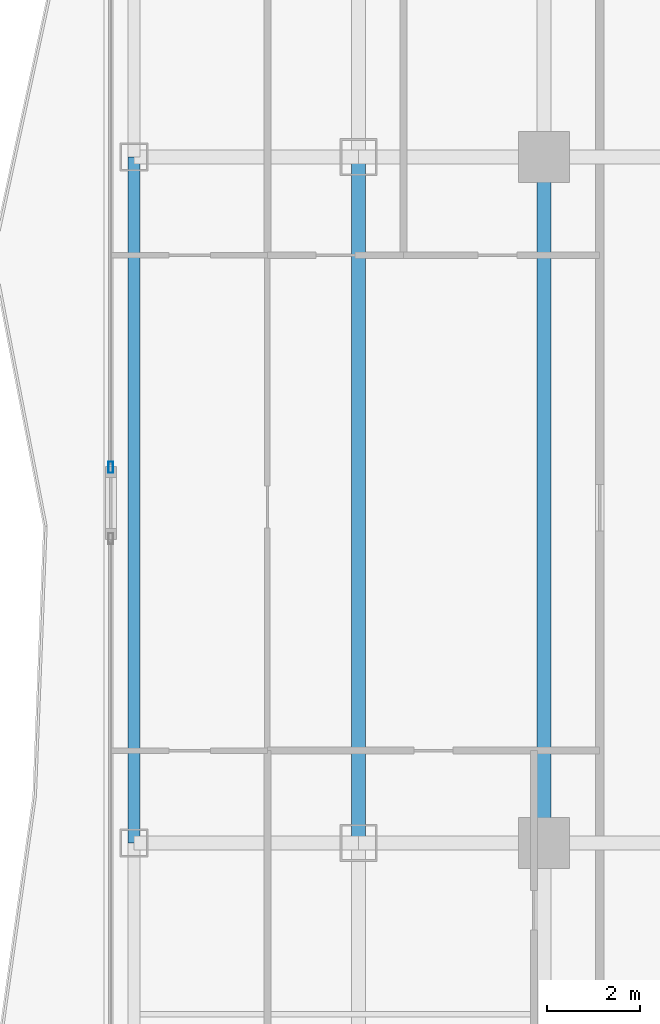
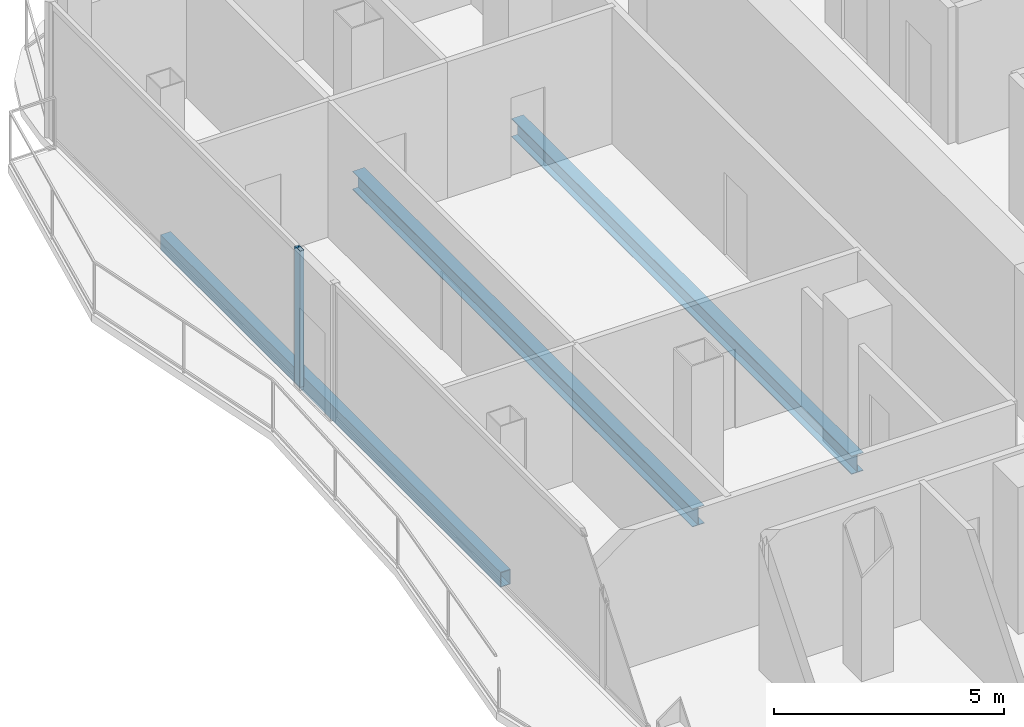
# One storey, part 6 of 23: 3 beams, 1 member, 1 element without a shape of its own.
"""IFC4 building model written with IfcOpenShell, lengths in metres."""

from ifc_helpers import new_model, si_unit, direction, frame, origin, origin_2d, place, context, subcontext, project, spatial, hollow_rectangle, i_section, extrude, material, layer, layer_set, material_profile, profile_set, type_object, element, aggregate, save


model = new_model("IFC4")

# Units and contexts
model_context = context("Model", 3, precision=1e-05, world=origin(), true_north=direction((0.0, 1.0)))
body_context = subcontext(model_context, "Body", "Model", "MODEL_VIEW")
ifc_project = project(units=[si_unit("LENGTHUNIT", "METRE"), si_unit("AREAUNIT", "SQUARE_METRE"), si_unit("VOLUMEUNIT", "CUBIC_METRE"), si_unit("PLANEANGLEUNIT", "RADIAN"), si_unit("MASSUNIT", "GRAM", prefix="KILO")], contexts=[model_context])

# Site, building, storey
site_placement = place(None, origin())
site = spatial("IfcSite", under=ifc_project, at=site_placement, CompositionType="ELEMENT")
building_placement = place(site_placement, origin())
building = spatial("IfcBuilding", under=site, at=building_placement, Name="Khorvyn Point Tower", CompositionType="ELEMENT")
storey_placement = place(building_placement, frame((0.0, 0.0, 207.0)))
storey = spatial("IfcBuildingStorey", under=building, at=storey_placement, Name="L51", CompositionType="ELEMENT", Elevation=207.0)

# Curtain wall, member
ifc_material_1 = material(Name="Anodised aluminium 6063-T6 and laminated Low-E glass", Category="aluminium")
ifc_layer = layer(ifc_material_1, 0.18994140625)
ifc_layer_set = layer_set([ifc_layer], Name="Stick-Built Acoustic Curtain Wall CW-SYS-03")
curtain_wall_type = type_object("IfcCurtainWallType", Name="Stick-Built Acoustic Curtain Wall CW-SYS-03", PredefinedType="NOTDEFINED", material=ifc_layer_set)
curtain_wall_placement = place(storey_placement, origin())
curtain_wall = element("IfcCurtainWall", 1, at=curtain_wall_placement, inside=storey, type_object=curtain_wall_type, Name="Curtain Wall", PredefinedType="NOTDEFINED")
ifc_material_2 = material(Name="Anodised aluminium 6063-T6", Category="aluminium")
ifc_material_profile_1 = material_profile(ifc_material_2, hollow_rectangle(XDim=0.10009765625, YDim=0.239990234375, WallThickness=0.0048828125, at=origin_2d()))
ifc_profile_set_1 = profile_set([ifc_material_profile_1], Name="Anodised aluminium 6063-T6 ALU-MUL-100x240")
member_type = type_object("IfcMemberType", Name="Anodised Aluminium 6063-T6 Mullion ALU-MUL-100x240", PredefinedType="MULLION", material=ifc_profile_set_1)
member_placement = place(storey_placement, frame((-24.14990234375, 0.70703125, 0.0), z_axis=(0.0, 0.0, 1.0), x_axis=(-1.0, 0.0, 0.0)))
member = element("IfcMember", 2, at=member_placement, type_object=member_type, Name="Transom", PredefinedType="MULLION", context=body_context, shape_type="SweptSolid", body=[
    extrude(hollow_rectangle(XDim=0.10009765625, YDim=0.239990234375, WallThickness=0.0048828125, at=origin_2d()), origin(), (0.0, 0.0, 1.0), 3.6201171875),
])
aggregate(curtain_wall, [member])

# Beams
ifc_material_3 = material(Name="Steel S355", Category="steel")
ifc_material_profile_2 = material_profile(ifc_material_3, i_section(OverallWidth=0.300048828125, OverallDepth=0.488037109375, WebThickness=0.010986328125, FlangeThickness=0.01806640625, at=origin_2d()))
ifc_profile_set_2 = profile_set([ifc_material_profile_2], Name="Steel S355 H488x300x11x18")
beam_type_1 = type_object("IfcBeamType", Name="Steel S355 Spandrel H488x300x11x18", PredefinedType="SPANDREL", material=ifc_profile_set_2)
for number, where, z_axis, x_axis, name in (
    (3, (-14.800048828125, -7.39990234375, -0.464111328125), (0.0, 1.0, 0.0), (-1.0, 0.0, 0.0), "Beam"),
    (4, (-18.800048828125, -7.39990234375, -0.464111328125), (0.0, 1.0, 0.0), (-1.0, 0.0, 0.0), "Beam"),
):
    element("IfcBeam", number, at=place(storey_placement, frame(where, z_axis=z_axis, x_axis=x_axis)), inside=storey, type_object=beam_type_1, Name=name, PredefinedType="SPANDREL", context=body_context, shape_type="SweptSolid", body=[
        extrude(i_section(OverallWidth=0.300048828125, OverallDepth=0.488037109375, WebThickness=0.010986328125, FlangeThickness=0.01806640625, at=origin_2d()), origin(), (0.0, 0.0, 1.0), 14.7998046875),
    ])
ifc_material_profile_3 = material_profile(ifc_material_3, hollow_rectangle(XDim=0.25, YDim=0.39990234375, WallThickness=0.01611328125, at=origin_2d()))
ifc_profile_set_3 = profile_set([ifc_material_profile_3], Name="Steel S355 RHS400x250x16")
beam_type_2 = type_object("IfcBeamType", Name="Steel S355 Spandrel RHS400x250x16", PredefinedType="SPANDREL", material=ifc_profile_set_3)
beam_placement = place(storey_placement, frame((-23.64990234375, -7.39990234375, -0.419921875), z_axis=(0.0, 1.0, 0.0), x_axis=(-1.0, 0.0, 0.0)))
element("IfcBeam", 5, at=beam_placement, inside=storey, type_object=beam_type_2, Name="Beam", PredefinedType="SPANDREL", context=body_context, shape_type="SweptSolid", body=[
    extrude(hollow_rectangle(XDim=0.25, YDim=0.39990234375, WallThickness=0.01611328125, at=origin_2d()), origin(), (0.0, 0.0, 1.0), 14.7998046875),
])

save(model, "model.ifc")
